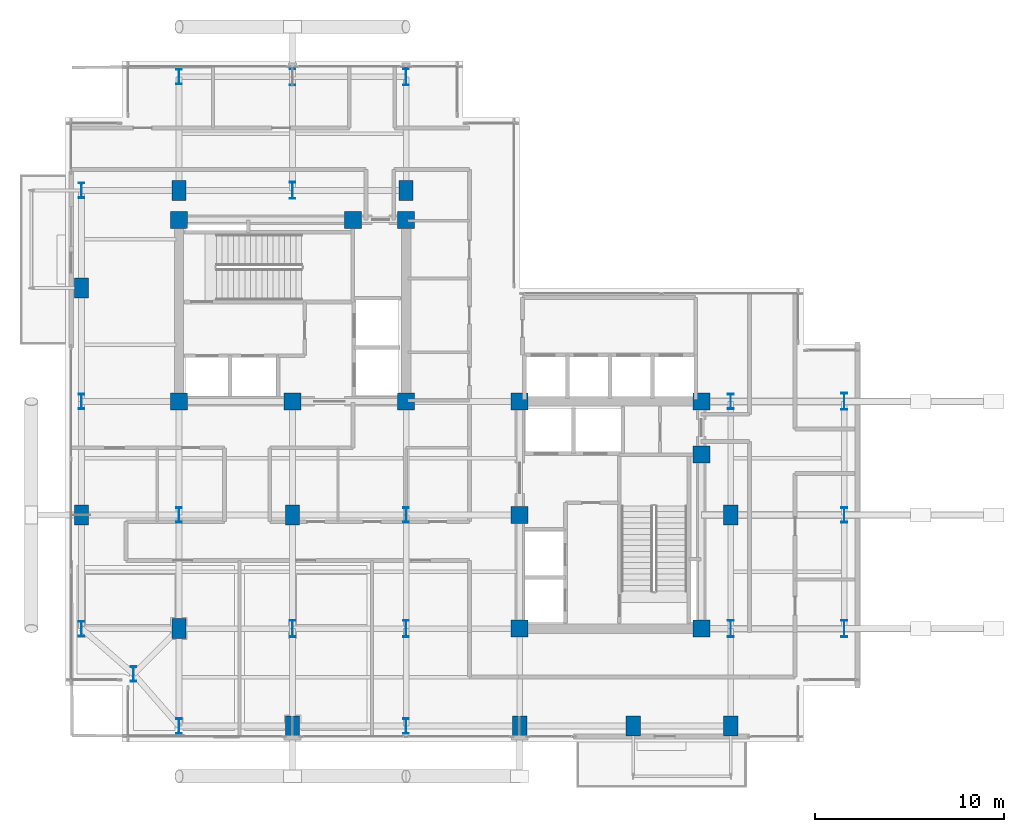
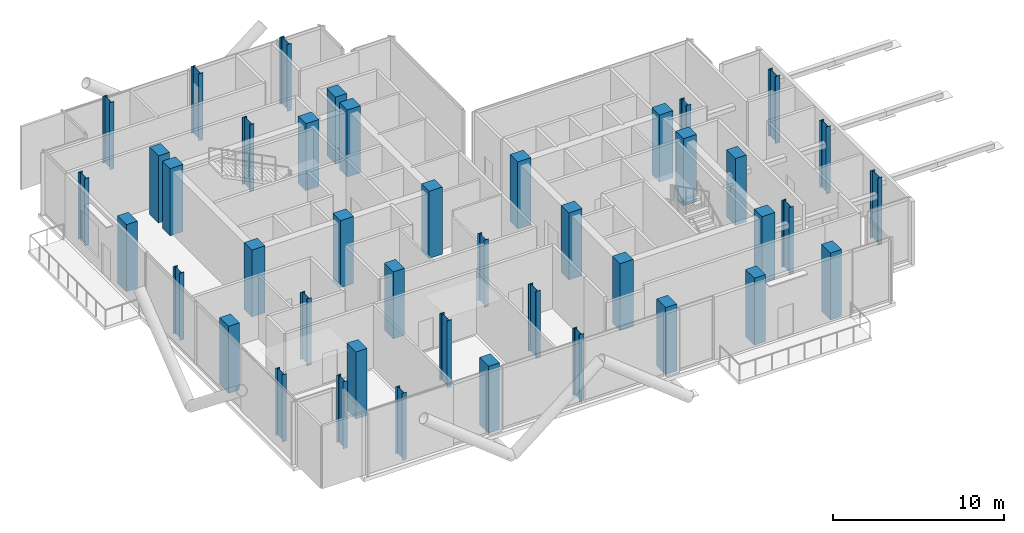
# One storey, part 1 of 22: 42 columns.
"""IFC4 building model written with IfcOpenShell, lengths in metres."""

from ifc_helpers import new_model, si_unit, direction, frame, origin, origin_2d, place, context, subcontext, project, spatial, rectangle, i_section, extrude, material, material_profile, profile_set, type_object, element, save


model = new_model("IFC4")

# Units and contexts
model_context = context("Model", 3, precision=1e-05, world=origin(), true_north=direction((0.0, 1.0)))
body_context = subcontext(model_context, "Body", "Model", "MODEL_VIEW")
ifc_project = project(units=[si_unit("LENGTHUNIT", "METRE"), si_unit("AREAUNIT", "SQUARE_METRE"), si_unit("VOLUMEUNIT", "CUBIC_METRE"), si_unit("PLANEANGLEUNIT", "RADIAN"), si_unit("MASSUNIT", "GRAM", prefix="KILO"), si_unit("THERMODYNAMICTEMPERATUREUNIT", "KELVIN"), si_unit("POWERUNIT", "WATT")], contexts=[model_context])

# Site, building, storey
site_placement = place(None, origin())
site = spatial("IfcSite", under=ifc_project, at=site_placement, CompositionType="ELEMENT")
building_placement = place(site_placement, origin())
building = spatial("IfcBuilding", under=site, at=building_placement, Name="Svarakhadi Broadcast Tower", CompositionType="ELEMENT")
storey_placement = place(building_placement, frame((0.0, 0.0, 199.199951171875)))
storey = spatial("IfcBuildingStorey", under=building, at=storey_placement, Name="L49", CompositionType="ELEMENT", Elevation=199.199951171875)

# Columns
ifc_material_1 = material(Name="Concrete C50/60 (IS 456 M60)", Category="concrete")
ifc_material_profile_1 = material_profile(ifc_material_1, rectangle(XDim=0.75, YDim=1.050048828125, at=origin_2d()), Name="RC 750x1050")
ifc_profile_set_1 = profile_set([ifc_material_profile_1], Name="Concrete C50/60 (IS 456 M60)")
column_type_1 = type_object("IfcColumnType", Name="Col_RC750", PredefinedType="COLUMN", material=ifc_profile_set_1)
for number, where, z_axis, x_axis, name in (
    (1, (0.85009765625, 12.0, 0.0), (0.0, 0.0, 1.0), (1.0, 0.0, 0.0), "L49 Column G04"),
    (2, (0.85009765625, 24.0, 0.0), (0.0, 0.0, 1.0), (1.0, 0.0, 0.0), "L49 Column G06"),
    (3, (6.0, 6.0, 0.0), (0.0, 0.0, 1.0), (1.0, 0.0, 0.0), "L49 Column G12"),
    (4, (6.0, 29.14990234375, 0.0), (0.0, 0.0, 1.0), (1.0, 0.0, 0.0), "L49 Column G14"),
    (5, (12.0, 0.85009765625, 0.0), (0.0, 0.0, 1.0), (1.0, 0.0, 0.0), "L49 Column G18"),
    (6, (12.0, 12.0, 0.0), (0.0, 0.0, 1.0), (1.0, 0.0, 0.0), "L49 Column G20"),
    (7, (18.0, 29.14990234375, 0.0), (0.0, 0.0, 1.0), (1.0, 0.0, 0.0), "L49 Column G28"),
    (8, (24.0, 0.85009765625, 0.0), (0.0, 0.0, 1.0), (1.0, 0.0, 0.0), "L49 Column G32"),
    (9, (30.0, 0.85009765625, 0.0), (0.0, 0.0, 1.0), (1.0, 0.0, 0.0), "L49 Column G36"),
    (10, (35.14990234375, 0.85009765625, 0.0), (0.0, 0.0, 1.0), (1.0, 0.0, 0.0), "L49 Column G38"),
    (11, (35.14990234375, 12.0, 0.0), (0.0, 0.0, 1.0), (1.0, 0.0, 0.0), "L49 Column G40"),
):
    element("IfcColumn", number, at=place(storey_placement, frame(where, z_axis=z_axis, x_axis=x_axis)), inside=storey, type_object=column_type_1, Name=name, PredefinedType="COLUMN", context=body_context, shape_type="SweptSolid", body=[
        extrude(rectangle(XDim=0.75, YDim=1.050048828125, at=origin_2d()), origin(), (0.0, 0.0, 1.0), 4.800048828125),
    ])
ifc_material_profile_2 = material_profile(ifc_material_1, rectangle(XDim=0.89990234375, YDim=0.89990234375, at=origin_2d()), Name="RC 900x900")
ifc_profile_set_2 = profile_set([ifc_material_profile_2], Name="Concrete C50/60 (IS 456 M60)")
column_type_2 = type_object("IfcColumnType", Name="Col_RC900", PredefinedType="COLUMN", material=ifc_profile_set_2)
for number, where, z_axis, x_axis, name in (
    (12, (6.0, 18.0, 0.0), (0.0, 0.0, 1.0), (1.0, 0.0, 0.0), "L49 Column CW1"),
    (13, (12.0, 18.0, 0.0), (0.0, 0.0, 1.0), (1.0, 0.0, 0.0), "L49 Column CW2"),
    (14, (18.0, 18.0, 0.0), (0.0, 0.0, 1.0), (1.0, 0.0, 0.0), "L49 Column CW3"),
    (15, (6.0, 27.60009765625, 0.0), (0.0, 0.0, 1.0), (1.0, 0.0, 0.0), "L49 Column CW4"),
    (16, (15.199951171875, 27.60009765625, 0.0), (0.0, 0.0, 1.0), (1.0, 0.0, 0.0), "L49 Column CW5"),
    (17, (18.0, 27.60009765625, 0.0), (0.0, 0.0, 1.0), (1.0, 0.0, 0.0), "L49 Column CW6"),
    (18, (24.0, 6.0, 0.0), (0.0, 0.0, 1.0), (1.0, 0.0, 0.0), "L49 Column CE1"),
    (19, (24.0, 12.0, 0.0), (0.0, 0.0, 1.0), (1.0, 0.0, 0.0), "L49 Column CE2"),
    (20, (24.0, 18.0, 0.0), (0.0, 0.0, 1.0), (1.0, 0.0, 0.0), "L49 Column CE3"),
    (21, (33.60009765625, 6.0, 0.0), (0.0, 0.0, 1.0), (1.0, 0.0, 0.0), "L49 Column CE4"),
    (22, (33.60009765625, 15.199951171875, 0.0), (0.0, 0.0, 1.0), (1.0, 0.0, 0.0), "L49 Column CE5"),
    (23, (33.60009765625, 18.0, 0.0), (0.0, 0.0, 1.0), (1.0, 0.0, 0.0), "L49 Column CE6"),
):
    element("IfcColumn", number, at=place(storey_placement, frame(where, z_axis=z_axis, x_axis=x_axis)), inside=storey, type_object=column_type_2, Name=name, PredefinedType="COLUMN", context=body_context, shape_type="SweptSolid", body=[
        extrude(rectangle(XDim=0.89990234375, YDim=0.89990234375, at=origin_2d()), origin(), (0.0, 0.0, 1.0), 4.800048828125),
    ])
ifc_material_2 = material(Name="Steel S460ML (IS 2062 E450BR)", Category="steel")
ifc_material_profile_3 = material_profile(ifc_material_2, i_section(OverallWidth=0.300048828125, OverallDepth=0.800048828125, WebThickness=0.017578125, FlangeThickness=0.032958984375, FilletRadius=0.030029296875, at=origin_2d()), Name="WPB 800x300x262")
ifc_profile_set_3 = profile_set([ifc_material_profile_3], Name="Steel S460ML (IS 2062 E450BR)")
column_type_3 = type_object("IfcColumnType", Name="Col_WPB800", PredefinedType="COLUMN", material=ifc_profile_set_3)
for number, where, z_axis, x_axis, name in (
    (24, (3.60009765625, 3.60009765625, 0.0), (0.0, 0.0, 1.0), (1.0, 0.0, 0.0), "L49 Column G01"),
    (25, (0.85009765625, 6.0, 0.0), (0.0, 0.0, 1.0), (1.0, 0.0, 0.0), "L49 Column G03"),
    (26, (0.85009765625, 18.0, 0.0), (0.0, 0.0, 1.0), (1.0, 0.0, 0.0), "L49 Column G05"),
    (27, (0.85009765625, 29.14990234375, 0.0), (0.0, 0.0, 1.0), (1.0, 0.0, 0.0), "L49 Column G07"),
    (28, (6.0, 0.85009765625, 0.0), (0.0, 0.0, 1.0), (1.0, 0.0, 0.0), "L49 Column G11"),
    (29, (6.0, 12.0, 0.0), (0.0, 0.0, 1.0), (1.0, 0.0, 0.0), "L49 Column G13"),
    (30, (6.0, 35.14990234375, 0.0), (0.0, 0.0, 1.0), (1.0, 0.0, 0.0), "L49 Column G15"),
    (31, (18.0, 0.85009765625, 0.0), (0.0, 0.0, 1.0), (1.0, 0.0, 0.0), "L49 Column G25"),
    (32, (18.0, 12.0, 0.0), (0.0, 0.0, 1.0), (1.0, 0.0, 0.0), "L49 Column G27"),
    (33, (35.14990234375, 18.0, 0.0), (0.0, 0.0, 1.0), (1.0, 0.0, 0.0), "L49 Column G41"),
    (34, (41.14990234375, 12.0, 0.0), (0.0, 0.0, 1.0), (1.0, 0.0, 0.0), "L49 Column G45"),
):
    element("IfcColumn", number, at=place(storey_placement, frame(where, z_axis=z_axis, x_axis=x_axis)), inside=storey, type_object=column_type_3, Name=name, PredefinedType="COLUMN", context=body_context, shape_type="SweptSolid", body=[
        extrude(i_section(OverallWidth=0.300048828125, OverallDepth=0.800048828125, WebThickness=0.017578125, FlangeThickness=0.032958984375, FilletRadius=0.030029296875, at=origin_2d()), origin(), (0.0, 0.0, 1.0), 4.800048828125),
    ])
ifc_material_profile_4 = material_profile(ifc_material_2, i_section(OverallWidth=0.300048828125, OverallDepth=0.89990234375, WebThickness=0.0185546875, FlangeThickness=0.034912109375, FilletRadius=0.030029296875, at=origin_2d()), Name="WPB 900x300x291")
ifc_profile_set_4 = profile_set([ifc_material_profile_4], Name="Steel S460ML (IS 2062 E450BR)")
column_type_4 = type_object("IfcColumnType", Name="Col_WPB900", PredefinedType="COLUMN", material=ifc_profile_set_4)
for number, where, z_axis, x_axis, name in (
    (35, (12.0, 6.0, 0.0), (0.0, 0.0, 1.0), (1.0, 0.0, 0.0), "L49 Column G19"),
    (36, (12.0, 29.14990234375, 0.0), (0.0, 0.0, 1.0), (1.0, 0.0, 0.0), "L49 Column G21"),
    (37, (12.0, 35.14990234375, 0.0), (0.0, 0.0, 1.0), (1.0, 0.0, 0.0), "L49 Column G22"),
    (38, (18.0, 6.0, 0.0), (0.0, 0.0, 1.0), (1.0, 0.0, 0.0), "L49 Column G26"),
    (39, (18.0, 35.14990234375, 0.0), (0.0, 0.0, 1.0), (1.0, 0.0, 0.0), "L49 Column G29"),
    (40, (35.14990234375, 6.0, 0.0), (0.0, 0.0, 1.0), (1.0, 0.0, 0.0), "L49 Column G39"),
    (41, (41.14990234375, 6.0, 0.0), (0.0, 0.0, 1.0), (1.0, 0.0, 0.0), "L49 Column G44"),
    (42, (41.14990234375, 18.0, 0.0), (0.0, 0.0, 1.0), (1.0, 0.0, 0.0), "L49 Column G46"),
):
    element("IfcColumn", number, at=place(storey_placement, frame(where, z_axis=z_axis, x_axis=x_axis)), inside=storey, type_object=column_type_4, Name=name, PredefinedType="COLUMN", context=body_context, shape_type="SweptSolid", body=[
        extrude(i_section(OverallWidth=0.300048828125, OverallDepth=0.89990234375, WebThickness=0.0185546875, FlangeThickness=0.034912109375, FilletRadius=0.030029296875, at=origin_2d()), origin(), (0.0, 0.0, 1.0), 4.800048828125),
    ])

save(model, "model.ifc")
